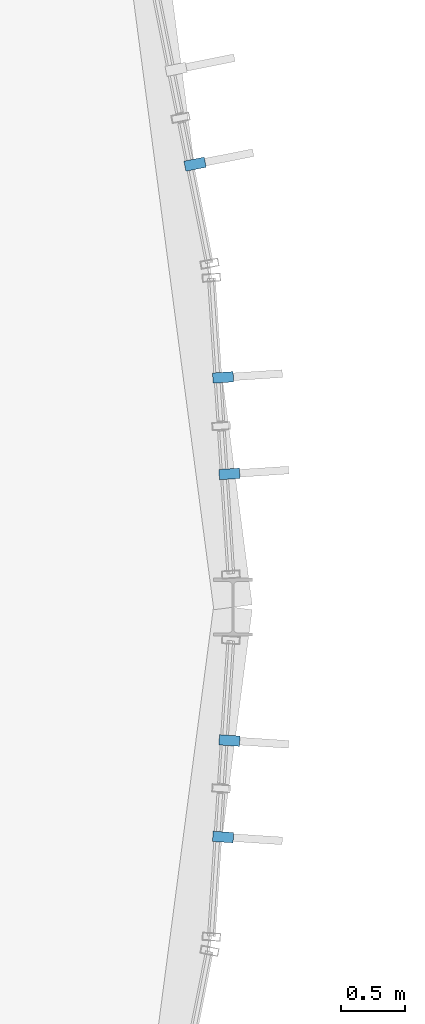
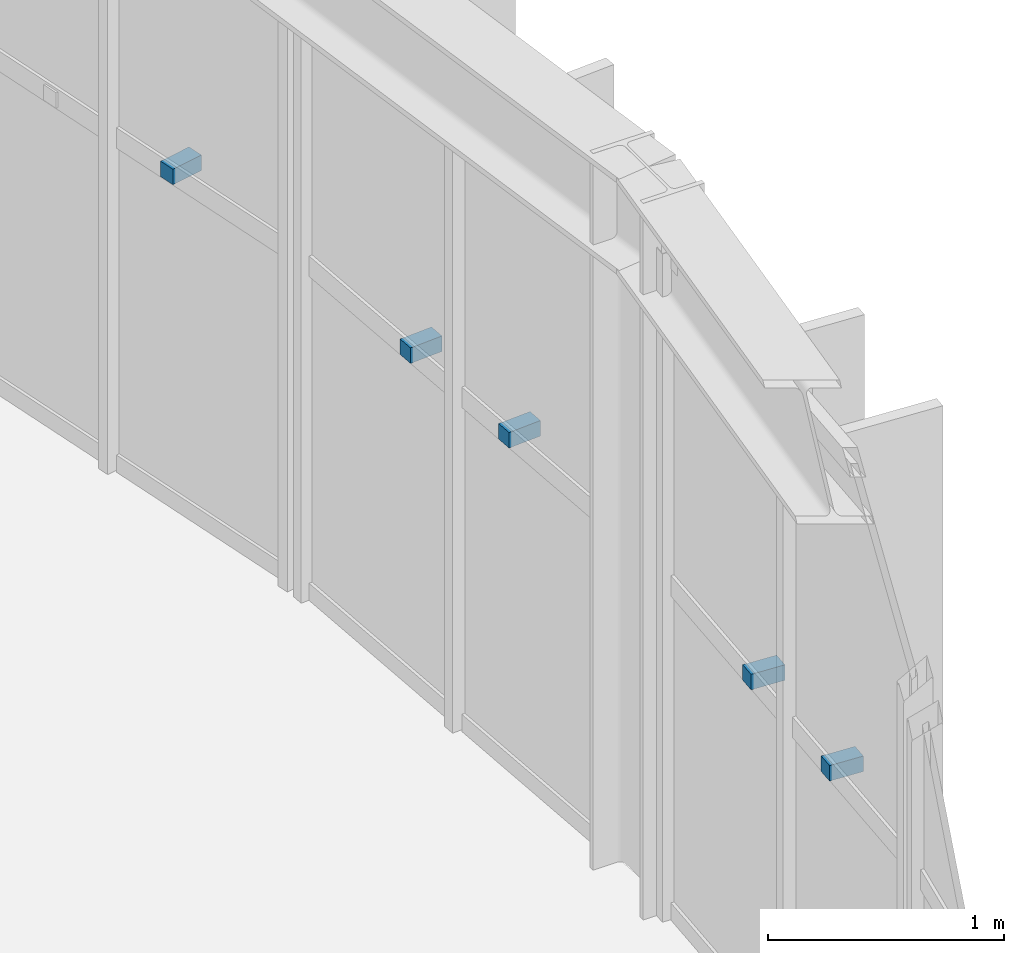
# One storey, part 133 of 152: 5 discrete accessories.
"""IFC4 building model written with IfcOpenShell, lengths in metres."""

import ifcopenshell
import ifcopenshell.guid

model = None  # the IFC model being written
_history = None  # IfcOwnerHistory: only IFC2X3 demands one
_inside = {}  # id of a spatial element -> (the spatial element, [elements in it])
_under = {}  # id of a project, library or spatial element -> (it, [spatial elements below it])
_declared = {}  # id of a project -> (the project, [libraries it declares])
_typed = {}  # id of a type object -> (the type object, [elements of that type])
_made_of = {}  # id of a material, layer set ... -> (it, [elements and type objects made of it])


def new_model(schema):
    """Start an empty IFC model of exactly this schema.

    Asked for "IFC4X3", IfcOpenShell would pick the latest addendum, in which some entities
    have other attributes; the version numbers below select the first issue.
    IFC2X3 requires an IfcOwnerHistory on every rooted entity: one is made here for all.
    """
    global model, _history
    if schema == "IFC4X3":
        model = ifcopenshell.file(schema_version=(4, 3, 0, 0))
    else:
        model = ifcopenshell.file(schema=schema)
    _inside.clear()
    _under.clear()
    _declared.clear()
    _typed.clear()
    _made_of.clear()
    _history = None
    if model.schema == "IFC2X3":
        org = make("IfcOrganization", Name="unknown")
        user = make(
            "IfcPersonAndOrganization",
            ThePerson=make("IfcPerson", FamilyName="unknown"),
            TheOrganization=org,
        )
        app = make(
            "IfcApplication",
            ApplicationDeveloper=org,
            Version="unknown",
            ApplicationFullName="unknown",
            ApplicationIdentifier="unknown",
        )
        _history = make(
            "IfcOwnerHistory",
            OwningUser=user,
            OwningApplication=app,
            ChangeAction="ADDED",
            CreationDate=0,
        )
    return model


def make(cls, **values):
    """One entity of the class cls with the attributes given. An attribute that is None is left unset."""
    return model.create_entity(
        cls, **{name: value for name, value in values.items() if value is not None}
    )


def rooted(cls, **values):
    """An entity with a GlobalId (a new one), such as an element, a storey or a relation."""
    return make(cls, GlobalId=ifcopenshell.guid.new(), OwnerHistory=_history, **values)


def si_unit(unit_type, name, prefix=None):
    """IfcSIUnit, for example si_unit("LENGTHUNIT", "METRE", prefix="MILLI")."""
    return make("IfcSIUnit", UnitType=unit_type, Prefix=prefix, Name=name)


def derived_unit(unit_type, elements):
    """IfcDerivedUnit: a product of units, each with its exponent."""
    return make(
        "IfcDerivedUnit",
        Elements=[
            make("IfcDerivedUnitElement", Unit=unit, Exponent=power)
            for unit, power in elements
        ],
        UnitType=unit_type,
    )


def assignment(units):
    """IfcUnitAssignment: the units of a project."""
    return None if units is None else make("IfcUnitAssignment", Units=units)


def point(xyz):
    """IfcCartesianPoint."""
    return None if xyz is None else make("IfcCartesianPoint", Coordinates=xyz)


def direction(xyz):
    """IfcDirection."""
    return None if xyz is None else make("IfcDirection", DirectionRatios=xyz)


def frame(location, z_axis=None, x_axis=None):
    """IfcAxis2Placement3D, a coordinate frame: its origin and axes. An axis left out is left unset."""
    return make(
        "IfcAxis2Placement3D",
        Location=point(location),
        Axis=direction(z_axis),
        RefDirection=direction(x_axis),
    )


def frame_2d(location, x_axis=None):
    """IfcAxis2Placement2D, a coordinate frame in the plane: its origin and x axis."""
    return make(
        "IfcAxis2Placement2D", Location=point(location), RefDirection=direction(x_axis)
    )


def origin():
    """The frame at (0, 0, 0) with its axes left unset."""
    return frame((0.0, 0.0, 0.0))


def origin_2d():
    """The frame at (0, 0) in the plane with its x axis left unset."""
    return frame_2d((0.0, 0.0))


def place(relative_to, where):
    """IfcLocalPlacement: puts the frame where relative to a parent placement (None: the world)."""
    return make(
        "IfcLocalPlacement", PlacementRelTo=relative_to, RelativePlacement=where
    )


def context(
    kind, dimensions, precision=None, world=None, true_north=None, identifier=None
):
    """IfcGeometricRepresentationContext, for example the 3D "Model" context."""
    return make(
        "IfcGeometricRepresentationContext",
        ContextIdentifier=identifier,
        ContextType=kind,
        CoordinateSpaceDimension=dimensions,
        Precision=precision,
        WorldCoordinateSystem=world,
        TrueNorth=true_north,
    )


def subcontext(parent, identifier, kind, view, scale=None):
    """IfcGeometricRepresentationSubContext, for example "Body" below "Model"."""
    return make(
        "IfcGeometricRepresentationSubContext",
        ContextIdentifier=identifier,
        ContextType=kind,
        ParentContext=parent,
        TargetScale=scale,
        TargetView=view,
    )


def project(units=None, contexts=None):
    """IfcProject with its units and contexts."""
    return rooted(
        "IfcProject",
        Name="project",
        RepresentationContexts=contexts,
        UnitsInContext=assignment(units),
    )


def spatial(cls, under=None, at=None, **own):
    """A site, building, storey or space (cls), placed at a placement, below another one or the project."""
    s = rooted(cls, ObjectPlacement=at, **own)
    if under is not None:
        _under.setdefault(under.id(), (under, []))[1].append(s)
    return s


def profile(cls, at=None, kind="AREA", **sizes):
    """A parametric profile (cls). Its sizes go by their IFC names, for example OverallWidth=200.0."""
    return make(cls, ProfileType=kind, Position=at, **sizes)


def rectangle(**sizes):
    """IfcRectangleProfileDef."""
    return profile("IfcRectangleProfileDef", **sizes)


def extrude(swept, where, along, depth):
    """IfcExtrudedAreaSolid: the profile swept, set in the frame where, extruded along a direction by depth."""
    return make(
        "IfcExtrudedAreaSolid",
        SweptArea=swept,
        Position=where,
        ExtrudedDirection=direction(along),
        Depth=depth,
    )


def shape(context_of_items, identifier, shape_type, items):
    """IfcShapeRepresentation: the items that make up one representation, for example the "Body"."""
    return make(
        "IfcShapeRepresentation",
        ContextOfItems=context_of_items,
        RepresentationIdentifier=identifier,
        RepresentationType=shape_type,
        Items=items,
    )


def material(Name=None, Category=None):
    """IfcMaterial."""
    return make("IfcMaterial", Name=Name, Category=Category)


def made_of(thing, what):
    """Note that an element or type object is made of a material, layer set ...; save() writes the relation."""
    if what is not None:
        _made_of.setdefault(what.id(), (what, []))[1].append(thing)
    return thing


def type_object(cls, material=None, **own):
    """A type object (cls), such as IfcWallType, which elements share."""
    return made_of(rooted(cls, **own), material)


def element(
    cls,
    number,
    at=None,
    inside=None,
    cuts=None,
    type_object=None,
    material=None,
    context=None,
    identifier="Body",
    shape_type=None,
    held_by="IfcProductDefinitionShape",
    body=None,
    shapes=None,
    **own,
):
    """One element of the class cls, such as IfcWall. Its Tag is "e" and its number.

    at: its placement. inside: the storey or other place that contains it. cuts: it is an
    opening in that element (IfcRelVoidsElement). A single representation is given by context,
    identifier, shape_type and body (its items); several are given by shapes. held_by: the class
    of the entity that holds the representations. save() writes the other relations.
    """
    e = rooted(cls, Tag="e%d" % number, ObjectPlacement=at, **own)
    if body is not None:
        shapes = [shape(context, identifier, shape_type, body)]
    if shapes is not None:
        e.Representation = make(held_by, Representations=shapes)
    if inside is not None:
        _inside.setdefault(inside.id(), (inside, []))[1].append(e)
    if cuts is not None:
        rooted(
            "IfcRelVoidsElement", RelatingBuildingElement=cuts, RelatedOpeningElement=e
        )
    if type_object is not None:
        _typed.setdefault(type_object.id(), (type_object, []))[1].append(e)
    return made_of(e, material)


def aggregate(whole, parts):
    """IfcRelAggregates: a whole, such as a stair, and the parts it consists of."""
    return rooted("IfcRelAggregates", RelatingObject=whole, RelatedObjects=parts)


def save(model, path):
    """Write the relations noted so far, then the file.

    IfcRelAggregates (storeys below a building ...), IfcRelContainedInSpatialStructure (elements
    in a storey), IfcRelDefinesByType, IfcRelAssociatesMaterial and IfcRelDeclares: one each for
    every whole, place, type object, material and project.
    """
    for whole, parts in _under.values():
        aggregate(whole, parts)
    for where, things in _inside.values():
        rooted(
            "IfcRelContainedInSpatialStructure",
            RelatedElements=things,
            RelatingStructure=where,
        )
    for kind, things in _typed.values():
        rooted("IfcRelDefinesByType", RelatedObjects=things, RelatingType=kind)
    for what, things in _made_of.values():
        rooted("IfcRelAssociatesMaterial", RelatedObjects=things, RelatingMaterial=what)
    for by, libraries in _declared.values():
        rooted("IfcRelDeclares", RelatingContext=by, RelatedDefinitions=libraries)
    model.write(path)


model = new_model("IFC4")

# Units and contexts
model_context = context("Model", 3, precision=1e-05, world=origin(), true_north=direction((0.0, 1.0)))
body_context = subcontext(model_context, "Body", "Model", "MODEL_VIEW")
ifc_project = project(units=[si_unit("LENGTHUNIT", "METRE"), si_unit("AREAUNIT", "SQUARE_METRE"), si_unit("VOLUMEUNIT", "CUBIC_METRE"), si_unit("PLANEANGLEUNIT", "RADIAN"), si_unit("MASSUNIT", "GRAM", prefix="KILO"), si_unit("THERMODYNAMICTEMPERATUREUNIT", "KELVIN"), si_unit("TIMEUNIT", "SECOND"), derived_unit("THERMALTRANSMITTANCEUNIT", [(si_unit("MASSUNIT", "GRAM", prefix="KILO"), 1), (si_unit("THERMODYNAMICTEMPERATUREUNIT", "KELVIN"), -1), (si_unit("TIMEUNIT", "SECOND"), -3)])], contexts=[model_context])

# Site, building, storey
site_placement = place(None, origin())
site = spatial("IfcSite", under=ifc_project, at=site_placement, CompositionType="ELEMENT")
building_placement = place(site_placement, origin())
building = spatial("IfcBuilding", under=site, at=building_placement, Name="Cambertide Market Hall", CompositionType="ELEMENT")
storey_placement = place(building_placement, frame((0.0, 0.0, 5.39990234375)))
storey = spatial("IfcBuildingStorey", under=building, at=storey_placement, Name="L02", CompositionType="ELEMENT", Elevation=5.39990234375)

# Discrete accessories
ifc_material = material(Name="Stainless Steel Grade 316", Category="metal")
discrete_accessory_type = type_object("IfcDiscreteAccessoryType", Name="Stainless Fin Outrigger Tie Bracket", PredefinedType="BRACKET", material=ifc_material)
for number, where, z_axis, x_axis, name in (
    (1, (124.972412109375, 70.966552734375, 1.68505859375), (0.0, 0.0, 1.0), (-0.065403211921, -0.997858917819, 0.0), "CW-V1AE-L02-12 Fin Tie Bracket 1"),
    (2, (124.92333984375, 70.218017578125, 1.68505859375), (0.0, 0.0, 1.0), (-0.065403211921, -0.997858917819, 0.0), "CW-V1AE-L02-12 Fin Tie Bracket 2"),
    (3, (124.92333984375, 73.781982421875, 1.68505859375), (0.0, 0.0, 1.0), (0.065403211921, -0.997858917819, 0.0), "CW-V1AE-L02-13 Fin Tie Bracket 1"),
    (4, (124.972412109375, 73.033447265625, 1.68505859375), (0.0, 0.0, 1.0), (0.065403211921, -0.997858917819, 0.0), "CW-V1AE-L02-13 Fin Tie Bracket 2"),
    (5, (124.70556640625, 75.435302734375, 1.68505859375), (0.0, 0.0, 1.0), (0.195090068226, -0.980785330885, 0.0), "CW-V1AE-L02-14 Fin Tie Bracket 2"),
):
    element("IfcDiscreteAccessory", number, at=place(storey_placement, frame(where, z_axis=z_axis, x_axis=x_axis)), inside=storey, type_object=discrete_accessory_type, Name=name, PredefinedType="BRACKET", context=body_context, shape_type="SweptSolid", body=[
        extrude(rectangle(XDim=0.080078125, YDim=0.159912109375, at=origin_2d()), origin(), (0.0, 0.0, 1.0), 0.080078125),
    ])

save(model, "model.ifc")
